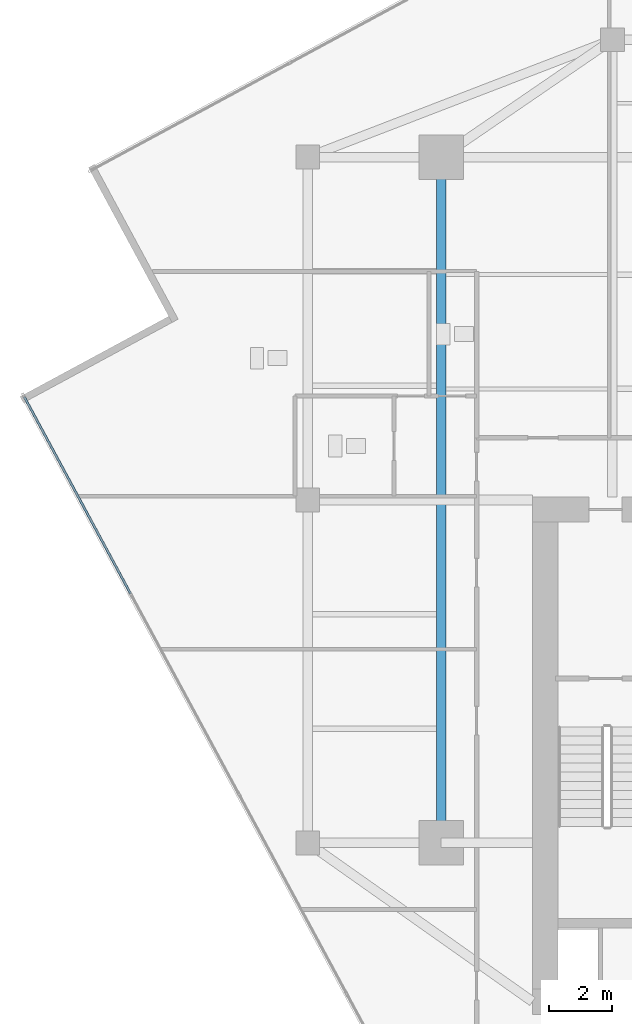
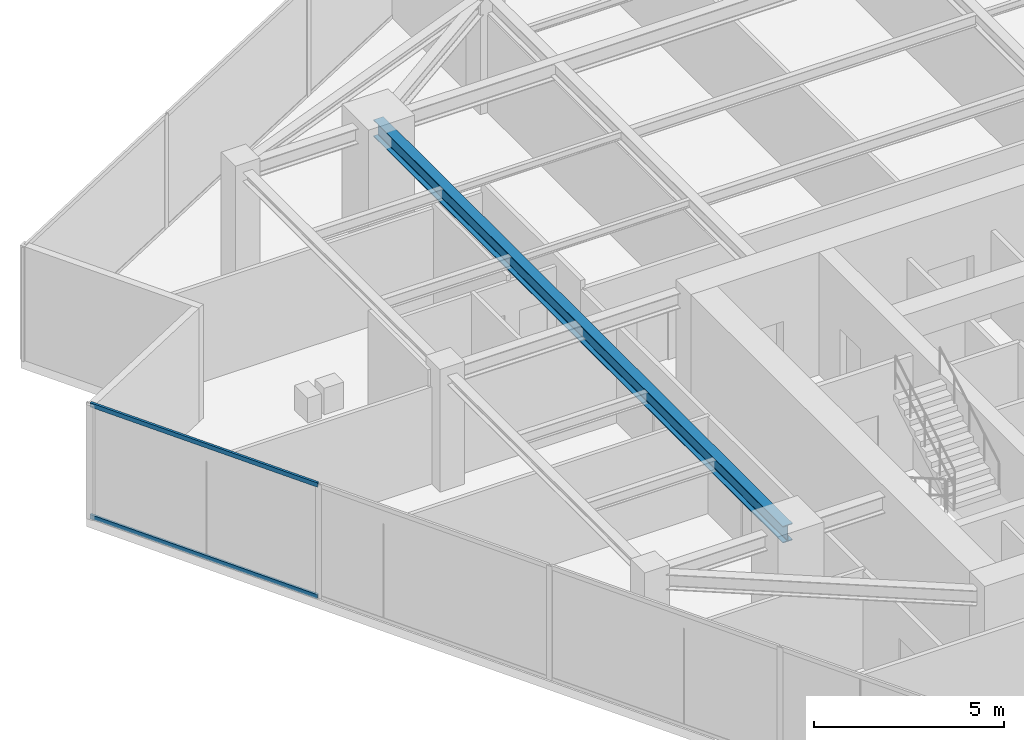
# One storey, part 5 of 22: 2 members, 1 beam, 1 element without a shape of its own.
"""IFC4 building model written with IfcOpenShell, lengths in metres."""

from ifc_helpers import new_model, si_unit, direction, frame, origin, origin_2d, place, context, subcontext, project, spatial, hollow_rectangle, i_section, extrude, source, transform, mapped, material, material_profile, profile_set, type_object, type_shapes, element, aggregate, save


model = new_model("IFC4")

# Units and contexts
model_context = context("Model", 3, precision=1e-05, world=origin(), true_north=direction((0.0, 1.0)))
body_context = subcontext(model_context, "Body", "Model", "MODEL_VIEW")
ifc_project = project(units=[si_unit("LENGTHUNIT", "METRE"), si_unit("AREAUNIT", "SQUARE_METRE"), si_unit("VOLUMEUNIT", "CUBIC_METRE"), si_unit("PLANEANGLEUNIT", "RADIAN"), si_unit("MASSUNIT", "GRAM", prefix="KILO")], contexts=[model_context])

# Site, building, storey
site_placement = place(None, origin())
site = spatial("IfcSite", under=ifc_project, at=site_placement, CompositionType="ELEMENT")
building_placement = place(site_placement, origin())
building = spatial("IfcBuilding", under=site, at=building_placement, Name="Krantzveldt Concourse Tower", CompositionType="ELEMENT")
storey_placement = place(building_placement, frame((0.0, 0.0, 302.949951171875)))
storey = spatial("IfcBuildingStorey", under=building, at=storey_placement, Name="L74", CompositionType="ELEMENT", Elevation=302.949951171875)

# Beam
ifc_material_1 = material(Name="Steel S355JR", Category="steel")
ifc_material_profile_1 = material_profile(ifc_material_1, i_section(OverallWidth=0.300048828125, OverallDepth=0.5400390625, WebThickness=0.012451171875, FlangeThickness=0.02392578125, FilletRadius=0.027099609375, at=origin_2d()), Name="Steel S355JR", Category="steel")
ifc_profile_set_1 = profile_set([ifc_material_profile_1], Name="Steel S355JR - HEA 550")
beam_type = type_object("IfcBeamType", Name="BM-B-HEA550", PredefinedType="BEAM", material=ifc_profile_set_1)
shared_shape_1 = source(origin(), body_context, "Body", "SweptSolid", [
    extrude(i_section(OverallWidth=0.300048828125, OverallDepth=0.5400390625, WebThickness=0.012451171875, FlangeThickness=0.02392578125, FilletRadius=0.027099609375, at=origin_2d()), origin(), (0.0, 0.0, 1.0), 21.60009765625),
])
type_shapes(beam_type, [shared_shape_1])
beam_placement = place(storey_placement, frame((25.199951171875, 15.89990234375, 3.400146484375), z_axis=(0.0, 1.0, 0.0), x_axis=(-1.0, 0.0, 0.0)))
element("IfcBeam", 1, at=beam_placement, inside=storey, type_object=beam_type, Name="L74 Tower Girder BG-MW", PredefinedType="BEAM", context=body_context, shape_type="MappedRepresentation", body=[
    mapped(shared_shape_1, transform((0.0, 0.0, 0.0), x_axis=(1.0, 0.0, 0.0), y_axis=(0.0, 1.0, 0.0), z_axis=(0.0, 0.0, 1.0), scale=1.0)),
])

# Curtain wall, members
ifc_material_2 = material(Name="Anodised aluminium 6063-T6", Category="aluminium")
curtain_wall_type = type_object("IfcCurtainWallType", Name="CW4", PredefinedType="USERDEFINED", material=ifc_material_2)
curtain_wall_placement = place(storey_placement, origin())
curtain_wall = element("IfcCurtainWall", 2, at=curtain_wall_placement, inside=storey, type_object=curtain_wall_type, Name="CW-L74-F04", ObjectType="UNITISED CURTAIN WALL", PredefinedType="USERDEFINED")
ifc_material_profile_2 = material_profile(ifc_material_2, hollow_rectangle(XDim=0.070068359375, YDim=0.139892578125, WallThickness=0.0048828125, at=origin_2d()), Name="Anodised aluminium 6063-T6", Category="aluminium")
ifc_profile_set_2 = profile_set([ifc_material_profile_2], Name="Anodised aluminium 6063-T6 - ALU-TRAN 140x70x5")
member_type = type_object("IfcMemberType", Name="CW-TRN-150", PredefinedType="USERDEFINED", material=ifc_profile_set_2)
shared_shape_2 = source(origin(), body_context, "Body", "SweptSolid", [
    extrude(hollow_rectangle(XDim=0.070068359375, YDim=0.139892578125, WallThickness=0.0048828125, at=origin_2d()), origin(), (0.0, 0.0, 1.0), 7.045166015625),
])
type_shapes(member_type, [shared_shape_2])
member_1_placement = place(storey_placement, frame((12.0712890625, 29.948486328125, 0.03515625), z_axis=(0.475240134235, -0.87985613302, 0.0), x_axis=(0.87985613302, 0.475240134235, 0.0)))
member_1 = element("IfcMember", 3, at=member_1_placement, type_object=member_type, Name="CW-Z56 transom 1.1", ObjectType="TRANSOM", PredefinedType="USERDEFINED", context=body_context, shape_type="MappedRepresentation", body=[
    mapped(shared_shape_2, transform((0.0, 0.0, 0.0), x_axis=(1.0, 0.0, 0.0), y_axis=(0.0, 1.0, 0.0), z_axis=(0.0, 0.0, 1.0), scale=1.0)),
])
member_2_placement = place(storey_placement, frame((12.0712890625, 29.948486328125, 3.635009765625), z_axis=(0.475240134235, -0.87985613302, 0.0), x_axis=(0.87985613302, 0.475240134235, 0.0)))
member_2 = element("IfcMember", 4, at=member_2_placement, type_object=member_type, Name="CW-Z56 transom 1.2", ObjectType="TRANSOM", PredefinedType="USERDEFINED", context=body_context, shape_type="MappedRepresentation", body=[
    mapped(shared_shape_2, transform((0.0, 0.0, 0.0), x_axis=(1.0, 0.0, 0.0), y_axis=(0.0, 1.0, 0.0), z_axis=(0.0, 0.0, 1.0), scale=1.0)),
])
aggregate(curtain_wall, [member_1, member_2])

save(model, "model.ifc")
